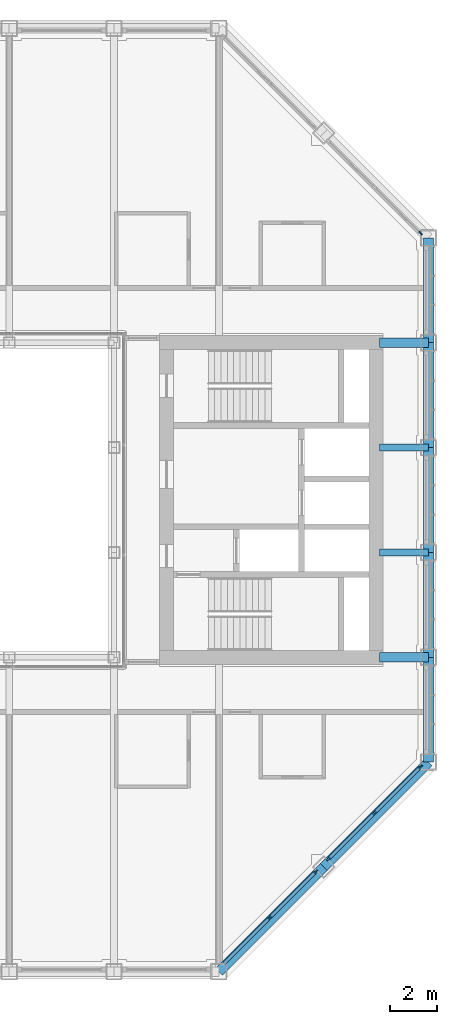
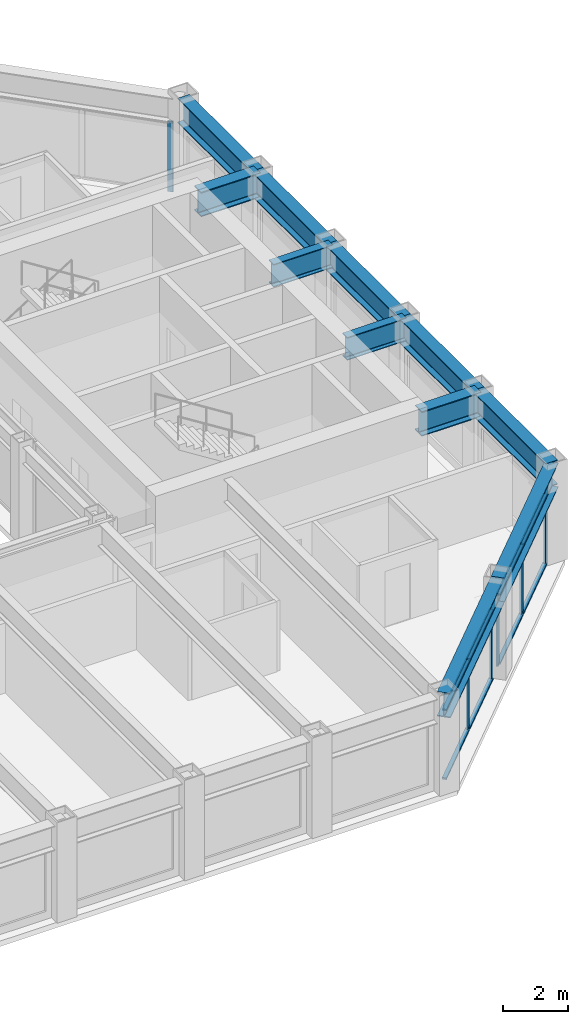
# One storey, part 5 of 16: 14 members, 11 beams, 3 elements without a shape of their own.
"""IFC4 building model written with IfcOpenShell, lengths in metres."""

from ifc_helpers import new_model, si_unit, direction, frame, origin, origin_2d, place, context, subcontext, project, spatial, rectangle, i_section, extrude, material, material_profile, profile_set, type_object, element, aggregate, save


model = new_model("IFC4")

# Units and contexts
model_context = context("Model", 3, precision=1e-05, world=origin(), true_north=direction((0.0, 1.0)))
body_context = subcontext(model_context, "Body", "Model", "MODEL_VIEW")
ifc_project = project(units=[si_unit("LENGTHUNIT", "METRE"), si_unit("AREAUNIT", "SQUARE_METRE"), si_unit("VOLUMEUNIT", "CUBIC_METRE"), si_unit("PLANEANGLEUNIT", "RADIAN"), si_unit("MASSUNIT", "GRAM", prefix="KILO")], contexts=[model_context])

# Site, building, storey
site_placement = place(None, origin())
site = spatial("IfcSite", under=ifc_project, at=site_placement, CompositionType="ELEMENT")
building_placement = place(site_placement, origin())
building = spatial("IfcBuilding", under=site, at=building_placement, Name="Msasa Ring Tower", CompositionType="ELEMENT")
storey_placement = place(building_placement, frame((0.0, 0.0, 219.550048828125)))
storey = spatial("IfcBuildingStorey", under=building, at=storey_placement, Name="L57", CompositionType="ELEMENT", Elevation=219.550048828125)

# Curtain wall, members
ifc_material_1 = material(Name="Aluminium curtain wall with clear glass", Category="aluminium")
curtain_wall_type = type_object("IfcCurtainWallType", Name="CW-C CHAMFER CORNER CURTAIN WALL", PredefinedType="NOTDEFINED", material=ifc_material_1)
curtain_wall_1_placement = place(storey_placement, origin())
curtain_wall_1 = element("IfcCurtainWall", 1, at=curtain_wall_1_placement, inside=storey, type_object=curtain_wall_type, Name="Chamfer corner curtain wall SE L57", PredefinedType="NOTDEFINED")
ifc_material_2 = material(Name="Aluminium mullion", Category="aluminium")
ifc_material_profile_1 = material_profile(ifc_material_2, rectangle(XDim=0.06494140625, YDim=0.179931640625, at=origin_2d()), Name="AL 65x180")
ifc_profile_set_1 = profile_set([ifc_material_profile_1], Name="Aluminium mullion")
member_type_1 = type_object("IfcMemberType", Name="CW-C MULLION 65x180", PredefinedType="MULLION", material=ifc_profile_set_1)
member_1_placement = place(storey_placement, frame((13.42919921875, -17.92919921875, 0.0), z_axis=(0.0, 0.0, 1.0), x_axis=(-0.707106781187, 0.707106781187, 0.0)))
member_1 = element("IfcMember", 2, at=member_1_placement, type_object=member_type_1, Name="CW-C mullion 2", PredefinedType="MULLION", context=body_context, shape_type="SweptSolid", body=[
    extrude(rectangle(XDim=0.06494140625, YDim=0.179931640625, at=origin_2d()), origin(), (0.0, 0.0, 1.0), 2.62890625),
])
member_2_placement = place(storey_placement, frame((15.4052734375, -15.953369140625, 0.0), z_axis=(0.0, 0.0, 1.0), x_axis=(-0.707106781187, 0.707106781187, 0.0)))
member_2 = element("IfcMember", 3, at=member_2_placement, type_object=member_type_1, Name="CW-C mullion 3", PredefinedType="MULLION", context=body_context, shape_type="SweptSolid", body=[
    extrude(rectangle(XDim=0.06494140625, YDim=0.179931640625, at=origin_2d()), origin(), (0.0, 0.0, 1.0), 2.62890625),
])

curtain_wall_2_placement = place(storey_placement, origin())
curtain_wall_2 = element("IfcCurtainWall", 4, at=curtain_wall_2_placement, inside=storey, type_object=curtain_wall_type, Name="Chamfer corner curtain wall SE L57", PredefinedType="NOTDEFINED")
member_3_placement = place(storey_placement, frame((15.953369140625, -15.4052734375, 0.0), z_axis=(0.0, 0.0, 1.0), x_axis=(-0.707106781187, 0.707106781187, 0.0)))
member_3 = element("IfcMember", 5, at=member_3_placement, type_object=member_type_1, Name="CW-C mullion 1", PredefinedType="MULLION", context=body_context, shape_type="SweptSolid", body=[
    extrude(rectangle(XDim=0.06494140625, YDim=0.179931640625, at=origin_2d()), origin(), (0.0, 0.0, 1.0), 2.62890625),
])
member_4_placement = place(storey_placement, frame((17.92919921875, -13.42919921875, 0.0), z_axis=(0.0, 0.0, 1.0), x_axis=(-0.707106781187, 0.707106781187, 0.0)))
member_4 = element("IfcMember", 6, at=member_4_placement, type_object=member_type_1, Name="CW-C mullion 2", PredefinedType="MULLION", context=body_context, shape_type="SweptSolid", body=[
    extrude(rectangle(XDim=0.06494140625, YDim=0.179931640625, at=origin_2d()), origin(), (0.0, 0.0, 1.0), 2.62890625),
])
member_5_placement = place(storey_placement, frame((19.9052734375, -11.453369140625, 0.0), z_axis=(0.0, 0.0, 1.0), x_axis=(-0.707106781187, 0.707106781187, 0.0)))
member_5 = element("IfcMember", 7, at=member_5_placement, type_object=member_type_1, Name="CW-C mullion 3", PredefinedType="MULLION", context=body_context, shape_type="SweptSolid", body=[
    extrude(rectangle(XDim=0.06494140625, YDim=0.179931640625, at=origin_2d()), origin(), (0.0, 0.0, 1.0), 2.62890625),
])

# Curtain wall, member
curtain_wall_3_placement = place(storey_placement, origin())
curtain_wall_3 = element("IfcCurtainWall", 8, at=curtain_wall_3_placement, inside=storey, type_object=curtain_wall_type, Name="Chamfer corner curtain wall NE L57", PredefinedType="NOTDEFINED")
member_6_placement = place(storey_placement, frame((19.9052734375, 11.453369140625, 0.0), z_axis=(0.0, 0.0, 1.0), x_axis=(-0.707106781187, -0.707106781187, 0.0)))
member_6 = element("IfcMember", 9, at=member_6_placement, type_object=member_type_1, Name="CW-C mullion 1", PredefinedType="MULLION", context=body_context, shape_type="SweptSolid", body=[
    extrude(rectangle(XDim=0.06494140625, YDim=0.179931640625, at=origin_2d()), origin(), (0.0, 0.0, 1.0), 2.62890625),
])
aggregate(curtain_wall_3, [member_6])

# Member
ifc_material_3 = material(Name="Aluminium transom", Category="aluminium")
ifc_material_profile_2 = material_profile(ifc_material_3, rectangle(XDim=0.139892578125, YDim=0.06494140625, at=origin_2d()), Name="AL 65x140")
ifc_profile_set_2 = profile_set([ifc_material_profile_2], Name="Aluminium transom")
member_type_2 = type_object("IfcMemberType", Name="CW-C TRANSOM 65x140", PredefinedType="USERDEFINED", material=ifc_profile_set_2)
member_7_placement = place(storey_placement, frame((11.476318359375, -19.88232421875, 0.032470703125), z_axis=(0.707106781187, 0.707106781187, 0.0), x_axis=(-0.707106781187, 0.707106781187, 0.0)))
member_7 = element("IfcMember", 10, at=member_7_placement, type_object=member_type_2, Name="CW-C transom 1.1", ObjectType="TRANSOM", PredefinedType="USERDEFINED", context=body_context, shape_type="SweptSolid", body=[
    extrude(rectangle(XDim=0.139892578125, YDim=0.06494140625, at=origin_2d()), origin(), (0.0, 0.0, 1.0), 2.729248046875),
])

member_8_placement = place(storey_placement, frame((11.476318359375, -19.88232421875, 2.596435546875), z_axis=(0.707106781187, 0.707106781187, 0.0), x_axis=(-0.707106781187, 0.707106781187, 0.0)))
member_8 = element("IfcMember", 11, at=member_8_placement, type_object=member_type_2, Name="CW-C transom 1.2", ObjectType="TRANSOM", PredefinedType="USERDEFINED", context=body_context, shape_type="SweptSolid", body=[
    extrude(rectangle(XDim=0.139892578125, YDim=0.06494140625, at=origin_2d()), origin(), (0.0, 0.0, 1.0), 2.729248046875),
])

member_9_placement = place(storey_placement, frame((13.452392578125, -17.90625, 0.032470703125), z_axis=(0.707106781187, 0.707106781187, 0.0), x_axis=(-0.707106781187, 0.707106781187, 0.0)))
member_9 = element("IfcMember", 12, at=member_9_placement, type_object=member_type_2, Name="CW-C transom 2.1", ObjectType="TRANSOM", PredefinedType="USERDEFINED", context=body_context, shape_type="SweptSolid", body=[
    extrude(rectangle(XDim=0.139892578125, YDim=0.06494140625, at=origin_2d()), origin(), (0.0, 0.0, 1.0), 2.729248046875),
])

member_10_placement = place(storey_placement, frame((13.452392578125, -17.90625, 2.596435546875), z_axis=(0.707106781187, 0.707106781187, 0.0), x_axis=(-0.707106781187, 0.707106781187, 0.0)))
member_10 = element("IfcMember", 13, at=member_10_placement, type_object=member_type_2, Name="CW-C transom 2.2", ObjectType="TRANSOM", PredefinedType="USERDEFINED", context=body_context, shape_type="SweptSolid", body=[
    extrude(rectangle(XDim=0.139892578125, YDim=0.06494140625, at=origin_2d()), origin(), (0.0, 0.0, 1.0), 2.729248046875),
])

aggregate(curtain_wall_1, [member_1, member_2, member_7, member_8, member_9, member_10])

member_11_placement = place(storey_placement, frame((15.976318359375, -15.38232421875, 0.032470703125), z_axis=(0.707106781187, 0.707106781187, 0.0), x_axis=(-0.707106781187, 0.707106781187, 0.0)))
member_11 = element("IfcMember", 14, at=member_11_placement, type_object=member_type_2, Name="CW-C transom 1.1", ObjectType="TRANSOM", PredefinedType="USERDEFINED", context=body_context, shape_type="SweptSolid", body=[
    extrude(rectangle(XDim=0.139892578125, YDim=0.06494140625, at=origin_2d()), origin(), (0.0, 0.0, 1.0), 2.729248046875),
])

member_12_placement = place(storey_placement, frame((15.976318359375, -15.38232421875, 2.596435546875), z_axis=(0.707106781187, 0.707106781187, 0.0), x_axis=(-0.707106781187, 0.707106781187, 0.0)))
member_12 = element("IfcMember", 15, at=member_12_placement, type_object=member_type_2, Name="CW-C transom 1.2", ObjectType="TRANSOM", PredefinedType="USERDEFINED", context=body_context, shape_type="SweptSolid", body=[
    extrude(rectangle(XDim=0.139892578125, YDim=0.06494140625, at=origin_2d()), origin(), (0.0, 0.0, 1.0), 2.729248046875),
])

member_13_placement = place(storey_placement, frame((17.952392578125, -13.40625, 0.032470703125), z_axis=(0.707106781187, 0.707106781187, 0.0), x_axis=(-0.707106781187, 0.707106781187, 0.0)))
member_13 = element("IfcMember", 16, at=member_13_placement, type_object=member_type_2, Name="CW-C transom 2.1", ObjectType="TRANSOM", PredefinedType="USERDEFINED", context=body_context, shape_type="SweptSolid", body=[
    extrude(rectangle(XDim=0.139892578125, YDim=0.06494140625, at=origin_2d()), origin(), (0.0, 0.0, 1.0), 2.729248046875),
])

member_14_placement = place(storey_placement, frame((17.952392578125, -13.40625, 2.596435546875), z_axis=(0.707106781187, 0.707106781187, 0.0), x_axis=(-0.707106781187, 0.707106781187, 0.0)))
member_14 = element("IfcMember", 17, at=member_14_placement, type_object=member_type_2, Name="CW-C transom 2.2", ObjectType="TRANSOM", PredefinedType="USERDEFINED", context=body_context, shape_type="SweptSolid", body=[
    extrude(rectangle(XDim=0.139892578125, YDim=0.06494140625, at=origin_2d()), origin(), (0.0, 0.0, 1.0), 2.729248046875),
])

aggregate(curtain_wall_2, [member_3, member_4, member_5, member_11, member_12, member_13, member_14])

# Beams
ifc_material_4 = material(Name="Steel S355", Category="steel")
ifc_material_profile_3 = material_profile(ifc_material_4, i_section(OverallWidth=0.293701171875, OverallDepth=0.850830078125, WebThickness=0.01611328125, FlangeThickness=0.02685546875, FilletRadius=0.017822265625, at=origin_2d()), Name="UB 838x292x226")
ifc_profile_set_3 = profile_set([ifc_material_profile_3], Name="Steel S355")
beam_type_1 = type_object("IfcBeamType", Name="FB5 UB 838x292x226", PredefinedType="BEAM", material=ifc_profile_set_3)
for number, where, z_axis, x_axis, name in (
    (18, (20.25, -2.25, 3.12451171875), (-1.0, 0.0, 0.0), (0.0, -1.0, 0.0), "Floor beam E -2.25 under L58"),
    (19, (20.25, 2.25, 3.12451171875), (-1.0, 0.0, 0.0), (0.0, -1.0, 0.0), "Floor beam E +2.25 under L58"),
):
    element("IfcBeam", number, at=place(storey_placement, frame(where, z_axis=z_axis, x_axis=x_axis)), inside=storey, type_object=beam_type_1, Name=name, PredefinedType="BEAM", context=body_context, shape_type="SweptSolid", body=[
        extrude(i_section(OverallWidth=0.293701171875, OverallDepth=0.850830078125, WebThickness=0.01611328125, FlangeThickness=0.02685546875, FilletRadius=0.017822265625, at=origin_2d()), origin(), (0.0, 0.0, 1.0), 2.10009765625),
    ])
ifc_material_5 = material(Name="Steel S355", Category="steel")
ifc_material_profile_4 = material_profile(ifc_material_5, i_section(OverallWidth=0.42041015625, OverallDepth=0.9208984375, WebThickness=0.021484375, FlangeThickness=0.03662109375, FilletRadius=0.024169921875, at=origin_2d()), Name="UB 914x419x388")
ifc_profile_set_4 = profile_set([ifc_material_profile_4], Name="Steel S355")
beam_type_2 = type_object("IfcBeamType", Name="GB1 UB 914x419x388", PredefinedType="BEAM", material=ifc_profile_set_4)
for number, where, z_axis, x_axis, name in (
    (20, (18.14990234375, 6.75, 3.08935546875), (1.0, 0.0, 0.0), (0.0, 1.0, 0.0), "Girder E +6.75 under L58"),
    (21, (18.14990234375, -6.75, 3.08935546875), (1.0, 0.0, 0.0), (0.0, 1.0, 0.0), "Girder E -6.75 under L58"),
):
    element("IfcBeam", number, at=place(storey_placement, frame(where, z_axis=z_axis, x_axis=x_axis)), inside=storey, type_object=beam_type_2, Name=name, PredefinedType="BEAM", context=body_context, shape_type="SweptSolid", body=[
        extrude(i_section(OverallWidth=0.42041015625, OverallDepth=0.9208984375, WebThickness=0.021484375, FlangeThickness=0.03662109375, FilletRadius=0.024169921875, at=origin_2d()), origin(), (0.0, 0.0, 1.0), 2.10009765625),
    ])
ifc_material_6 = material(Name="Steel S355", Category="steel")
ifc_material_profile_5 = material_profile(ifc_material_6, i_section(OverallWidth=0.42041015625, OverallDepth=0.9208984375, WebThickness=0.021484375, FlangeThickness=0.03662109375, FilletRadius=0.024169921875, at=origin_2d()), Name="UB 914x419x388")
ifc_profile_set_5 = profile_set([ifc_material_profile_5], Name="Steel S355")
beam_type_3 = type_object("IfcBeamType", Name="SB1 UB 914x419x388", PredefinedType="SPANDREL", material=ifc_profile_set_5)
for number, where, z_axis, x_axis, name in (
    (22, (11.25, -20.25, 3.08935546875), (0.707106781187, 0.707106781187, 0.0), (-0.707106781187, 0.707106781187, 0.0), "Spandrel S+11.25 to SE under L58"),
    (23, (15.75, -15.75, 3.08935546875), (0.707106781187, 0.707106781187, 0.0), (-0.707106781187, 0.707106781187, 0.0), "Spandrel SE to E-11.25 under L58"),
):
    element("IfcBeam", number, at=place(storey_placement, frame(where, z_axis=z_axis, x_axis=x_axis)), inside=storey, type_object=beam_type_3, Name=name, PredefinedType="SPANDREL", context=body_context, shape_type="SweptSolid", body=[
        extrude(i_section(OverallWidth=0.42041015625, OverallDepth=0.9208984375, WebThickness=0.021484375, FlangeThickness=0.03662109375, FilletRadius=0.024169921875, at=origin_2d()), origin(), (0.0, 0.0, 1.0), 6.364013671875),
    ])
for number, where, z_axis, x_axis, name in (
    (24, (20.25, -11.25, 3.08935546875), (0.0, 1.0, 0.0), (-1.0, 0.0, 0.0), "Spandrel E-11.25 to E-6.75 under L58"),
    (25, (20.25, -6.75, 3.08935546875), (0.0, 1.0, 0.0), (-1.0, 0.0, 0.0), "Spandrel E-6.75 to E-2.25 under L58"),
    (26, (20.25, -2.25, 3.08935546875), (0.0, 1.0, 0.0), (-1.0, 0.0, 0.0), "Spandrel E-2.25 to E+2.25 under L58"),
    (27, (20.25, 2.25, 3.08935546875), (0.0, 1.0, 0.0), (-1.0, 0.0, 0.0), "Spandrel E+2.25 to E+6.75 under L58"),
    (28, (20.25, 6.75, 3.08935546875), (0.0, 1.0, 0.0), (-1.0, 0.0, 0.0), "Spandrel E+6.75 to E+11.25 under L58"),
):
    element("IfcBeam", number, at=place(storey_placement, frame(where, z_axis=z_axis, x_axis=x_axis)), inside=storey, type_object=beam_type_3, Name=name, PredefinedType="SPANDREL", context=body_context, shape_type="SweptSolid", body=[
        extrude(i_section(OverallWidth=0.42041015625, OverallDepth=0.9208984375, WebThickness=0.021484375, FlangeThickness=0.03662109375, FilletRadius=0.024169921875, at=origin_2d()), origin(), (0.0, 0.0, 1.0), 4.5),
    ])

save(model, "model.ifc")
